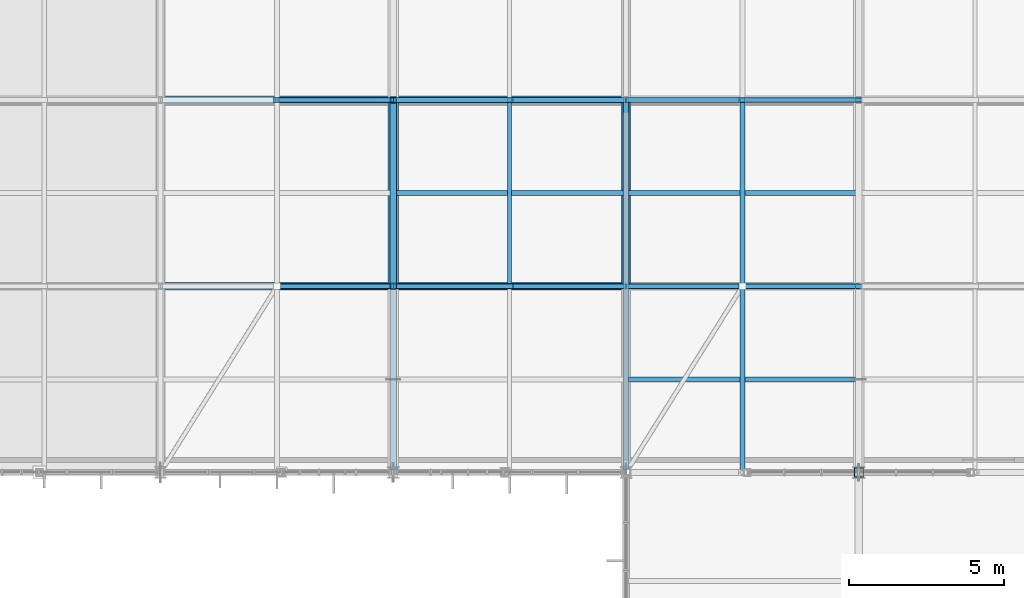
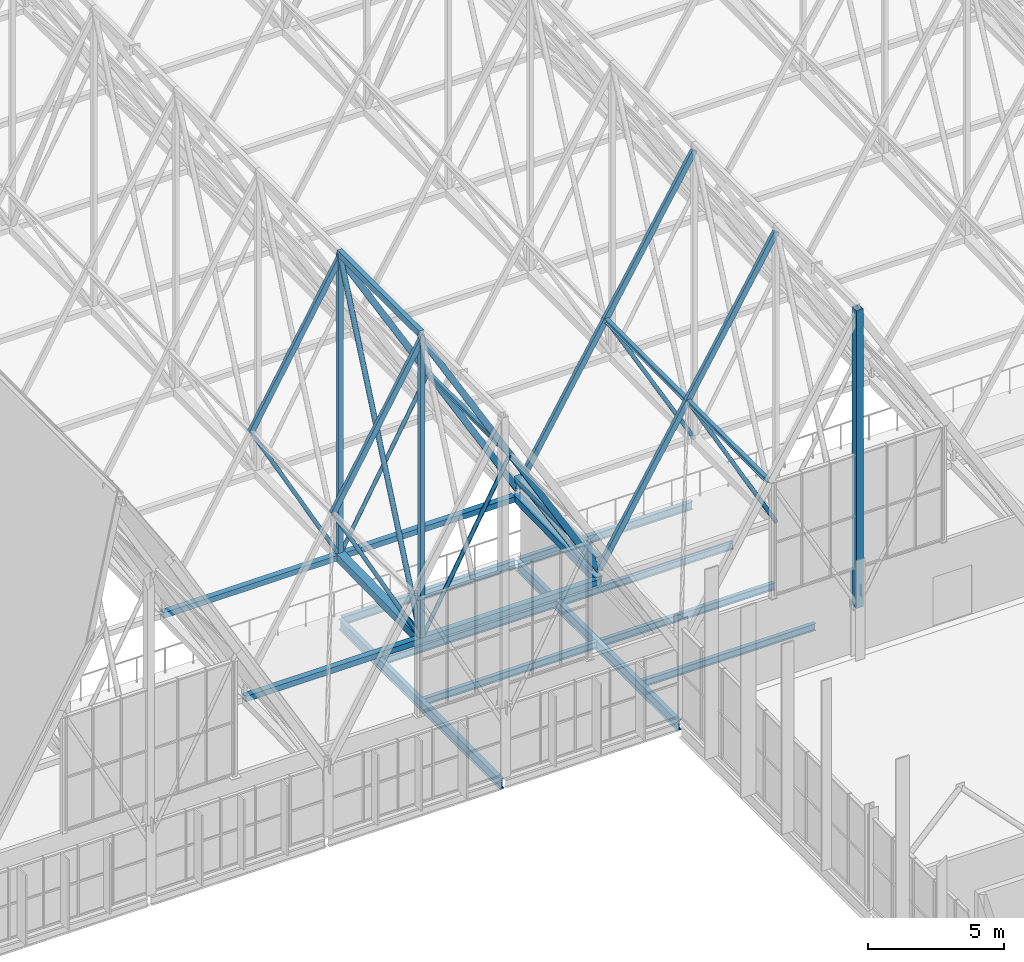
# One storey, part 141 of 324: 27 members, 12 beams.
"""IFC4 building model written with IfcOpenShell, lengths in metres."""

from ifc_helpers import new_model, si_unit, direction, frame, origin, origin_2d, place, context, subcontext, project, spatial, hollow_rectangle, hollow_circle, i_section, extrude, material, material_profile, profile_set, type_object, element, save


model = new_model("IFC4")

# Units and contexts
model_context = context("Model", 3, precision=1e-05, world=origin(), true_north=direction((0.0, 1.0)))
body_context = subcontext(model_context, "Body", "Model", "MODEL_VIEW")
ifc_project = project(units=[si_unit("LENGTHUNIT", "METRE"), si_unit("AREAUNIT", "SQUARE_METRE"), si_unit("VOLUMEUNIT", "CUBIC_METRE"), si_unit("PLANEANGLEUNIT", "RADIAN"), si_unit("MASSUNIT", "GRAM", prefix="KILO")], contexts=[model_context])

# Site, building, storey
site_placement = place(None, origin())
site = spatial("IfcSite", under=ifc_project, at=site_placement, CompositionType="ELEMENT")
building_placement = place(site_placement, origin())
building = spatial("IfcBuilding", under=site, at=building_placement, Name="Solvenia Promenade Tram Depot", CompositionType="ELEMENT")
storey_placement = place(building_placement, frame((0.0, 0.0, 4.5)))
storey = spatial("IfcBuildingStorey", under=building, at=storey_placement, Name="L01", CompositionType="ELEMENT", Elevation=4.5)

# Beams
ifc_material_1 = material(Name="Structural steel ASTM A992 Gr. 50", Category="steel")
ifc_material_profile_1 = material_profile(ifc_material_1, i_section(OverallWidth=0.19091796875, OverallDepth=0.4599609375, WebThickness=0.010009765625, FlangeThickness=0.01611328125, FilletRadius=0.012939453125, at=origin_2d()), Name="W460x82", Category="steel")
ifc_profile_set_1 = profile_set([ifc_material_profile_1], Name="Structural steel ASTM A992 Gr. 50")
beam_type_1 = type_object("IfcBeamType", Name="Beam-W460x82", PredefinedType="BEAM", material=ifc_profile_set_1)
for number, where, z_axis, x_axis, name in (
    (1, (97.5, 66.0849609375, -0.449951171875), (0.0, 1.0, 0.0), (-1.0, 0.0, 0.0), "Transverse Girder BM-L01-0054"),
    (2, (105.0, 66.0849609375, -0.449951171875), (0.0, 1.0, 0.0), (-1.0, 0.0, 0.0), "Transverse Girder BM-L01-0055"),
):
    element("IfcBeam", number, at=place(storey_placement, frame(where, z_axis=z_axis, x_axis=x_axis)), inside=storey, type_object=beam_type_1, Name=name, PredefinedType="BEAM", context=body_context, shape_type="SweptSolid", body=[
        extrude(i_section(OverallWidth=0.19091796875, OverallDepth=0.4599609375, WebThickness=0.010009765625, FlangeThickness=0.01611328125, FilletRadius=0.012939453125, at=origin_2d()), origin(), (0.0, 0.0, 1.0), 11.830078125),
    ])

# Members
ifc_material_2 = material(Name="Structural steel ASTM A500 Gr. C", Category="steel")
ifc_material_profile_2 = material_profile(ifc_material_2, hollow_circle(Radius=0.109619140625, WallThickness=0.008056640625, at=origin_2d()), Name="CHS219.1x8", Category="steel")
ifc_profile_set_2 = profile_set([ifc_material_profile_2], Name="Structural steel ASTM A500 Gr. C")
member_type_1 = type_object("IfcMemberType", Name="Brace-CHS219x8", PredefinedType="BRACE", material=ifc_profile_set_2)
member_1_placement = place(storey_placement, frame((97.5, 72.0, 2.446044921875), z_axis=(0.0, 0.402603008516, 0.915374686964), x_axis=(-1.0, 0.0, 0.0)))
element("IfcMember", 3, at=member_1_placement, inside=storey, type_object=member_type_1, Name="Arched Truss T14 Web Diagonal S02", PredefinedType="BRACE", context=body_context, shape_type="SweptSolid", body=[
    extrude(hollow_circle(Radius=0.109619140625, WallThickness=0.008056640625, at=origin_2d()), origin(), (0.0, 0.0, 1.0), 14.903076171875),
])
ifc_material_profile_3 = material_profile(ifc_material_2, hollow_rectangle(XDim=0.14990234375, YDim=0.25, WallThickness=0.010009765625, at=origin_2d()), Name="HSS250x150x10", Category="steel")
ifc_profile_set_3 = profile_set([ifc_material_profile_3], Name="Structural steel ASTM A500 Gr. C")
member_type_2 = type_object("IfcMemberType", Name="Chord-HSS250x150x10", PredefinedType="CHORD", material=ifc_profile_set_3)
for number, where, z_axis, x_axis, name in (
    (4, (93.75, 72.0, 9.39013671875), (0.501516268578, 0.0, 0.865148214095), (0.0, 1.0, 0.0), "Zigzag Gable 07 West Upper Rafter"),
    (5, (97.5, 72.0, 15.859130859375), (0.501516268578, 0.0, -0.865148214095), (0.0, 1.0, 0.0), "Zigzag Gable 07 East Upper Rafter"),
    (6, (101.25, 72.0, 9.39013671875), (0.501516268578, 0.0, -0.865148214095), (0.0, 1.0, 0.0), "Zigzag Gable 07 East Lower Rafter"),
    (7, (93.75, 78.0, 9.39013671875), (0.501516268578, 0.0, 0.865148214095), (0.0, 1.0, 0.0), "Zigzag Gable 07 West Upper Rafter"),
    (8, (97.5, 78.0, 15.859130859375), (0.501516268578, 0.0, -0.865148214095), (0.0, 1.0, 0.0), "Zigzag Gable 07 East Upper Rafter"),
    (9, (101.25, 78.0, 9.39013671875), (0.501516268578, 0.0, -0.865148214095), (0.0, 1.0, 0.0), "Zigzag Gable 07 East Lower Rafter"),
):
    element("IfcMember", number, at=place(storey_placement, frame(where, z_axis=z_axis, x_axis=x_axis)), inside=storey, type_object=member_type_2, Name=name, PredefinedType="CHORD", context=body_context, shape_type="SweptSolid", body=[
        extrude(hollow_rectangle(XDim=0.14990234375, YDim=0.25, WallThickness=0.010009765625, at=origin_2d()), origin(), (0.0, 0.0, 1.0), 7.477294921875),
    ])
for number, where, z_axis, x_axis, name in (
    (10, (105.0, 72.0, 2.93017578125), (0.514584433357, 0.0, 0.857439712718), (0.0, 1.0, 0.0), "Zigzag Gable 08 West Lower Rafter"),
    (11, (108.75, 72.0, 9.1787109375), (0.514584433357, 0.0, 0.857439712718), (0.0, 1.0, 0.0), "Zigzag Gable 08 West Upper Rafter"),
    (12, (105.0, 78.0, 2.93017578125), (0.514584433357, 0.0, 0.857439712718), (0.0, 1.0, 0.0), "Zigzag Gable 08 West Lower Rafter"),
    (13, (108.75, 78.0, 9.1787109375), (0.514584433357, 0.0, 0.857439712718), (0.0, 1.0, 0.0), "Zigzag Gable 08 West Upper Rafter"),
):
    element("IfcMember", number, at=place(storey_placement, frame(where, z_axis=z_axis, x_axis=x_axis)), inside=storey, type_object=member_type_2, Name=name, PredefinedType="CHORD", context=body_context, shape_type="SweptSolid", body=[
        extrude(hollow_rectangle(XDim=0.14990234375, YDim=0.25, WallThickness=0.010009765625, at=origin_2d()), origin(), (0.0, 0.0, 1.0), 7.287353515625),
    ])
ifc_material_profile_4 = material_profile(ifc_material_2, hollow_rectangle(XDim=0.25, YDim=0.25, WallThickness=0.010009765625, at=origin_2d()), Name="HSS250x250x10", Category="steel")
ifc_profile_set_4 = profile_set([ifc_material_profile_4], Name="Structural steel ASTM A500 Gr. C")
member_type_3 = type_object("IfcMemberType", Name="Chord-HSS250x250x10", PredefinedType="CHORD", material=ifc_profile_set_4)
member_2_placement = place(storey_placement, frame((105.0, 72.0, 3.3798828125), z_axis=(0.0, 1.0, 0.0), x_axis=(-1.0, 0.0, 0.0)))
element("IfcMember", 14, at=member_2_placement, inside=storey, type_object=member_type_3, Name="Arched Truss T15 Upper Chord S02", PredefinedType="CHORD", context=body_context, shape_type="SweptSolid", body=[
    extrude(hollow_rectangle(XDim=0.25, YDim=0.25, WallThickness=0.010009765625, at=origin_2d()), origin(), (0.0, 0.0, 1.0), 6.0),
])
for number, where, z_axis, x_axis, name in (
    (15, (90.0, 72.0, 2.446044921875), (1.0, 0.0, 0.0), (0.0, 1.0, 0.0), "Bottom-Chord Catenary Lateral Tie 055"),
    (16, (90.0, 78.0, 2.5439453125), (1.0, 0.0, 0.0), (0.0, 1.0, 0.0), "Bottom-Chord Catenary Lateral Tie 056"),
):
    element("IfcMember", number, at=place(storey_placement, frame(where, z_axis=z_axis, x_axis=x_axis)), inside=storey, type_object=member_type_3, Name=name, PredefinedType="CHORD", context=body_context, shape_type="SweptSolid", body=[
        extrude(hollow_rectangle(XDim=0.25, YDim=0.25, WallThickness=0.010009765625, at=origin_2d()), origin(), (0.0, 0.0, 1.0), 15.0),
    ])
ifc_material_profile_5 = material_profile(ifc_material_2, hollow_rectangle(XDim=0.199951171875, YDim=0.300048828125, WallThickness=0.012451171875, at=origin_2d()), Name="HSS300x200x12.5", Category="steel")
ifc_profile_set_5 = profile_set([ifc_material_profile_5], Name="Structural steel ASTM A500 Gr. C")
member_type_4 = type_object("IfcMemberType", Name="Chord-HSS300x200x12", PredefinedType="CHORD", material=ifc_profile_set_5)
member_3_placement = place(storey_placement, frame((97.5, 72.0, 16.087890625), z_axis=(0.0, 1.0, 0.0), x_axis=(-1.0, 0.0, 0.0)))
element("IfcMember", 17, at=member_3_placement, inside=storey, type_object=member_type_4, Name="Arched Truss T14 Upper Chord S02", PredefinedType="CHORD", context=body_context, shape_type="SweptSolid", body=[
    extrude(hollow_rectangle(XDim=0.199951171875, YDim=0.300048828125, WallThickness=0.012451171875, at=origin_2d()), origin(), (0.0, 0.0, 1.0), 6.0),
])
ifc_material_profile_6 = material_profile(ifc_material_2, hollow_rectangle(XDim=0.300048828125, YDim=0.300048828125, WallThickness=0.012451171875, at=origin_2d()), Name="HSS300x300x12.5", Category="steel")
ifc_profile_set_6 = profile_set([ifc_material_profile_6], Name="Structural steel ASTM A500 Gr. C")
member_type_5 = type_object("IfcMemberType", Name="Chord-HSS300x300x12", PredefinedType="CHORD", material=ifc_profile_set_6)
member_4_placement = place(storey_placement, frame((105.0, 72.0, 2.446044921875), z_axis=(0.0, 0.999866908707, 0.016314560156), x_axis=(-1.0, 0.0, 0.0)))
element("IfcMember", 18, at=member_4_placement, inside=storey, type_object=member_type_5, Name="Arched Truss T15 Bottom Chord S02", PredefinedType="CHORD", context=body_context, shape_type="SweptSolid", body=[
    extrude(hollow_rectangle(XDim=0.300048828125, YDim=0.300048828125, WallThickness=0.012451171875, at=origin_2d()), origin(), (0.0, 0.0, 1.0), 6.000732421875),
])
member_5_placement = place(storey_placement, frame((112.5, 66.0, 2.320068359375), z_axis=(0.0, 0.0, 1.0), x_axis=(1.0, 0.0, 0.0)))
element("IfcMember", 19, at=member_5_placement, inside=storey, type_object=member_type_5, Name="Arched Truss T16 S End Post", PredefinedType="CHORD", context=body_context, shape_type="SweptSolid", body=[
    extrude(hollow_rectangle(XDim=0.300048828125, YDim=0.300048828125, WallThickness=0.012451171875, at=origin_2d()), origin(), (0.0, 0.0, 1.0), 13.326904296875),
])
ifc_material_profile_7 = material_profile(ifc_material_2, hollow_rectangle(XDim=0.35009765625, YDim=0.35009765625, WallThickness=0.01611328125, at=origin_2d()), Name="HSS350x350x16", Category="steel")
ifc_profile_set_7 = profile_set([ifc_material_profile_7], Name="Structural steel ASTM A500 Gr. C")
member_type_6 = type_object("IfcMemberType", Name="Chord-HSS350x350x16", PredefinedType="CHORD", material=ifc_profile_set_7)
member_6_placement = place(storey_placement, frame((97.5, 72.0, 2.446044921875), z_axis=(0.0, 0.999866908707, 0.016314560156), x_axis=(-1.0, 0.0, 0.0)))
element("IfcMember", 20, at=member_6_placement, inside=storey, type_object=member_type_6, Name="Arched Truss T14 Bottom Chord S02", PredefinedType="CHORD", context=body_context, shape_type="SweptSolid", body=[
    extrude(hollow_rectangle(XDim=0.35009765625, YDim=0.35009765625, WallThickness=0.01611328125, at=origin_2d()), origin(), (0.0, 0.0, 1.0), 6.000732421875),
])

# Beams
ifc_material_profile_8 = material_profile(ifc_material_1, i_section(OverallWidth=0.166015625, OverallDepth=0.31298828125, WebThickness=0.006591796875, FlangeThickness=0.01123046875, FilletRadius=0.010009765625, at=origin_2d()), Name="W310x45", Category="steel")
ifc_profile_set_8 = profile_set([ifc_material_profile_8], Name="Structural steel ASTM A992 Gr. 50")
beam_type_2 = type_object("IfcBeamType", Name="Joist-W310x45", PredefinedType="JOIST", material=ifc_profile_set_8)
for number, where, z_axis, x_axis, name in (
    (21, (97.5849609375, 72.0, -0.37646484375), (1.0, 0.0, 0.0), (0.0, 1.0, 0.0), "Secondary Floor Joist BM-L01-0101"),
    (22, (97.5849609375, 75.0, -0.37646484375), (1.0, 0.0, 0.0), (0.0, 1.0, 0.0), "Secondary Floor Joist BM-L01-0102"),
    (23, (105.0849609375, 69.0, -0.37646484375), (1.0, 0.0, 0.0), (0.0, 1.0, 0.0), "Secondary Floor Joist BM-L01-0103"),
    (24, (105.0849609375, 72.0, -0.37646484375), (1.0, 0.0, 0.0), (0.0, 1.0, 0.0), "Secondary Floor Joist BM-L01-0104"),
    (25, (105.0849609375, 75.0, -0.37646484375), (1.0, 0.0, 0.0), (0.0, 1.0, 0.0), "Secondary Floor Joist BM-L01-0105"),
):
    element("IfcBeam", number, at=place(storey_placement, frame(where, z_axis=z_axis, x_axis=x_axis)), inside=storey, type_object=beam_type_2, Name=name, PredefinedType="JOIST", context=body_context, shape_type="SweptSolid", body=[
        extrude(i_section(OverallWidth=0.166015625, OverallDepth=0.31298828125, WebThickness=0.006591796875, FlangeThickness=0.01123046875, FilletRadius=0.010009765625, at=origin_2d()), origin(), (0.0, 0.0, 1.0), 7.330078125),
    ])

# Members
ifc_material_profile_9 = material_profile(ifc_material_2, hollow_rectangle(XDim=0.199951171875, YDim=0.199951171875, WallThickness=0.010009765625, at=origin_2d()), Name="HSS200x200x10", Category="steel")
ifc_profile_set_9 = profile_set([ifc_material_profile_9], Name="Structural steel ASTM A500 Gr. C")
member_type_7 = type_object("IfcMemberType", Name="Post-HSS200x200x10", PredefinedType="POST", material=ifc_profile_set_9)
member_7_placement = place(storey_placement, frame((97.5, 72.0, 2.446044921875), z_axis=(0.0, 0.0, 1.0), x_axis=(1.0, 0.0, 0.0)))
element("IfcMember", 26, at=member_7_placement, inside=storey, type_object=member_type_7, Name="Arched Truss T14 Web Post S01", PredefinedType="POST", context=body_context, shape_type="SweptSolid", body=[
    extrude(hollow_rectangle(XDim=0.199951171875, YDim=0.199951171875, WallThickness=0.010009765625, at=origin_2d()), origin(), (0.0, 0.0, 1.0), 13.641845703125),
])
member_8_placement = place(storey_placement, frame((97.5, 78.0, 2.5439453125), z_axis=(0.0, 0.0, 1.0), x_axis=(1.0, 0.0, 0.0)))
element("IfcMember", 27, at=member_8_placement, inside=storey, type_object=member_type_7, Name="Arched Truss T14 Web Post S02", PredefinedType="POST", context=body_context, shape_type="SweptSolid", body=[
    extrude(hollow_rectangle(XDim=0.199951171875, YDim=0.199951171875, WallThickness=0.010009765625, at=origin_2d()), origin(), (0.0, 0.0, 1.0), 13.5439453125),
])

# Beams
ifc_material_profile_10 = material_profile(ifc_material_1, i_section(OverallWidth=0.133056640625, OverallDepth=0.20703125, WebThickness=0.005859375, FlangeThickness=0.00830078125, FilletRadius=0.009033203125, at=origin_2d()), Name="W200x27", Category="steel")
ifc_profile_set_10 = profile_set([ifc_material_profile_10], Name="Structural steel ASTM A992 Gr. 50")
beam_type_3 = type_object("IfcBeamType", Name="Purlin-W200x27", PredefinedType="USERDEFINED", material=ifc_profile_set_10)
beam_placement = place(storey_placement, frame((101.25, 72.0849609375, 9.375732421875), z_axis=(0.0, 1.0, 0.0), x_axis=(-1.0, 0.0, 0.0)))
element("IfcBeam", 28, at=beam_placement, inside=storey, type_object=beam_type_3, Name="Gable Roof Purlin E-0124", ObjectType="PURLIN", PredefinedType="USERDEFINED", context=body_context, shape_type="SweptSolid", body=[
    extrude(i_section(OverallWidth=0.133056640625, OverallDepth=0.20703125, WebThickness=0.005859375, FlangeThickness=0.00830078125, FilletRadius=0.009033203125, at=origin_2d()), origin(), (0.0, 0.0, 1.0), 5.830078125),
])
ifc_material_profile_11 = material_profile(ifc_material_1, i_section(OverallWidth=0.1650390625, OverallDepth=0.200927734375, WebThickness=0.006103515625, FlangeThickness=0.01025390625, FilletRadius=0.010009765625, at=origin_2d()), Name="W200x36", Category="steel")
ifc_profile_set_11 = profile_set([ifc_material_profile_11], Name="Structural steel ASTM A992 Gr. 50")
beam_type_4 = type_object("IfcBeamType", Name="Purlin-W200x36", PredefinedType="USERDEFINED", material=ifc_profile_set_11)
for number, where, z_axis, x_axis, name in (
    (29, (108.75, 66.0849609375, 9.169677734375), (0.0, 1.0, 0.0), (-1.0, 0.0, 0.0), "Gable Roof Purlin W-0141"),
    (30, (108.75, 72.0849609375, 9.169677734375), (0.0, 1.0, 0.0), (-1.0, 0.0, 0.0), "Gable Roof Purlin W-0143"),
):
    element("IfcBeam", number, at=place(storey_placement, frame(where, z_axis=z_axis, x_axis=x_axis)), inside=storey, type_object=beam_type_4, Name=name, ObjectType="PURLIN", PredefinedType="USERDEFINED", context=body_context, shape_type="SweptSolid", body=[
        extrude(i_section(OverallWidth=0.1650390625, OverallDepth=0.200927734375, WebThickness=0.006103515625, FlangeThickness=0.01025390625, FilletRadius=0.010009765625, at=origin_2d()), origin(), (0.0, 0.0, 1.0), 5.830078125),
    ])
ifc_material_profile_12 = material_profile(ifc_material_1, i_section(OverallWidth=0.172119140625, OverallDepth=0.35791015625, WebThickness=0.0078125, FlangeThickness=0.01318359375, FilletRadius=0.010986328125, at=origin_2d()), Name="W360x57", Category="steel")
ifc_profile_set_12 = profile_set([ifc_material_profile_12], Name="Structural steel ASTM A992 Gr. 50")
beam_type_5 = type_object("IfcBeamType", Name="Spandrel-W360x57", PredefinedType="SPANDREL", material=ifc_profile_set_12)
for number, where, z_axis, x_axis, name in (
    (31, (97.5849609375, 78.0, -0.39892578125), (1.0, 0.0, 0.0), (0.0, 1.0, 0.0), "Perimeter Spandrel BM-L01-0034"),
    (32, (105.0849609375, 78.0, -0.39892578125), (1.0, 0.0, 0.0), (0.0, 1.0, 0.0), "Perimeter Spandrel BM-L01-0035"),
):
    element("IfcBeam", number, at=place(storey_placement, frame(where, z_axis=z_axis, x_axis=x_axis)), inside=storey, type_object=beam_type_5, Name=name, PredefinedType="SPANDREL", context=body_context, shape_type="SweptSolid", body=[
        extrude(i_section(OverallWidth=0.172119140625, OverallDepth=0.35791015625, WebThickness=0.0078125, FlangeThickness=0.01318359375, FilletRadius=0.010986328125, at=origin_2d()), origin(), (0.0, 0.0, 1.0), 7.330078125),
    ])

# Members
ifc_material_profile_13 = material_profile(ifc_material_2, hollow_circle(Radius=0.084228515625, WallThickness=0.008056640625, at=origin_2d()), Name="CHS168.3x8", Category="steel")
ifc_profile_set_13 = profile_set([ifc_material_profile_13], Name="Structural steel ASTM A500 Gr. C")
member_type_8 = type_object("IfcMemberType", Name="WebDiag-CHS168x8", PredefinedType="BRACE", material=ifc_profile_set_13)
member_9_placement = place(storey_placement, frame((105.0, 72.0, 2.446044921875), z_axis=(0.0, 0.9881038455, 0.153788135133), x_axis=(-1.0, 0.0, 0.0)))
element("IfcMember", 33, at=member_9_placement, inside=storey, type_object=member_type_8, Name="Arched Truss T15 Web Diagonal S02", PredefinedType="BRACE", context=body_context, shape_type="SweptSolid", body=[
    extrude(hollow_circle(Radius=0.084228515625, WallThickness=0.008056640625, at=origin_2d()), origin(), (0.0, 0.0, 1.0), 6.072265625),
])
for number, where, z_axis, x_axis, name in (
    (34, (97.5, 72.0, 2.446044921875), (-0.475167596576, 0.0, 0.879895309207), (0.0, -1.0, 0.0), "Zigzag Gable 07 West Knee Strut"),
    (35, (97.5, 72.0, 2.446044921875), (0.475167596576, 0.0, 0.879895309207), (0.0, 1.0, 0.0), "Zigzag Gable 07 East Knee Strut"),
):
    element("IfcMember", number, at=place(storey_placement, frame(where, z_axis=z_axis, x_axis=x_axis)), inside=storey, type_object=member_type_8, Name=name, PredefinedType="BRACE", context=body_context, shape_type="SweptSolid", body=[
        extrude(hollow_circle(Radius=0.084228515625, WallThickness=0.008056640625, at=origin_2d()), origin(), (0.0, 0.0, 1.0), 7.891845703125),
    ])
for number, where, z_axis, x_axis, name in (
    (36, (97.5, 78.0, 2.5439453125), (-0.480402843129, 0.0, 0.877047950978), (0.0, -1.0, 0.0), "Zigzag Gable 07 West Knee Strut"),
    (37, (97.5, 78.0, 2.5439453125), (0.480402843129, 0.0, 0.877047950978), (0.0, 1.0, 0.0), "Zigzag Gable 07 East Knee Strut"),
):
    element("IfcMember", number, at=place(storey_placement, frame(where, z_axis=z_axis, x_axis=x_axis)), inside=storey, type_object=member_type_8, Name=name, PredefinedType="BRACE", context=body_context, shape_type="SweptSolid", body=[
        extrude(hollow_circle(Radius=0.084228515625, WallThickness=0.008056640625, at=origin_2d()), origin(), (0.0, 0.0, 1.0), 7.805908203125),
    ])
member_10_placement = place(storey_placement, frame((112.5, 72.0, 2.446044921875), z_axis=(-0.486597510161, 0.0, 0.873626271986), x_axis=(0.0, -1.0, 0.0)))
element("IfcMember", 38, at=member_10_placement, inside=storey, type_object=member_type_8, Name="Zigzag Gable 08 West Knee Strut", PredefinedType="BRACE", context=body_context, shape_type="SweptSolid", body=[
    extrude(hollow_circle(Radius=0.084228515625, WallThickness=0.008056640625, at=origin_2d()), origin(), (0.0, 0.0, 1.0), 7.70654296875),
])
member_11_placement = place(storey_placement, frame((112.5, 78.0, 2.5439453125), z_axis=(-0.492048812039, 0.0, 0.870567611717), x_axis=(0.0, -1.0, 0.0)))
element("IfcMember", 39, at=member_11_placement, inside=storey, type_object=member_type_8, Name="Zigzag Gable 08 West Knee Strut", PredefinedType="BRACE", context=body_context, shape_type="SweptSolid", body=[
    extrude(hollow_circle(Radius=0.084228515625, WallThickness=0.008056640625, at=origin_2d()), origin(), (0.0, 0.0, 1.0), 7.62109375),
])

save(model, "model.ifc")
